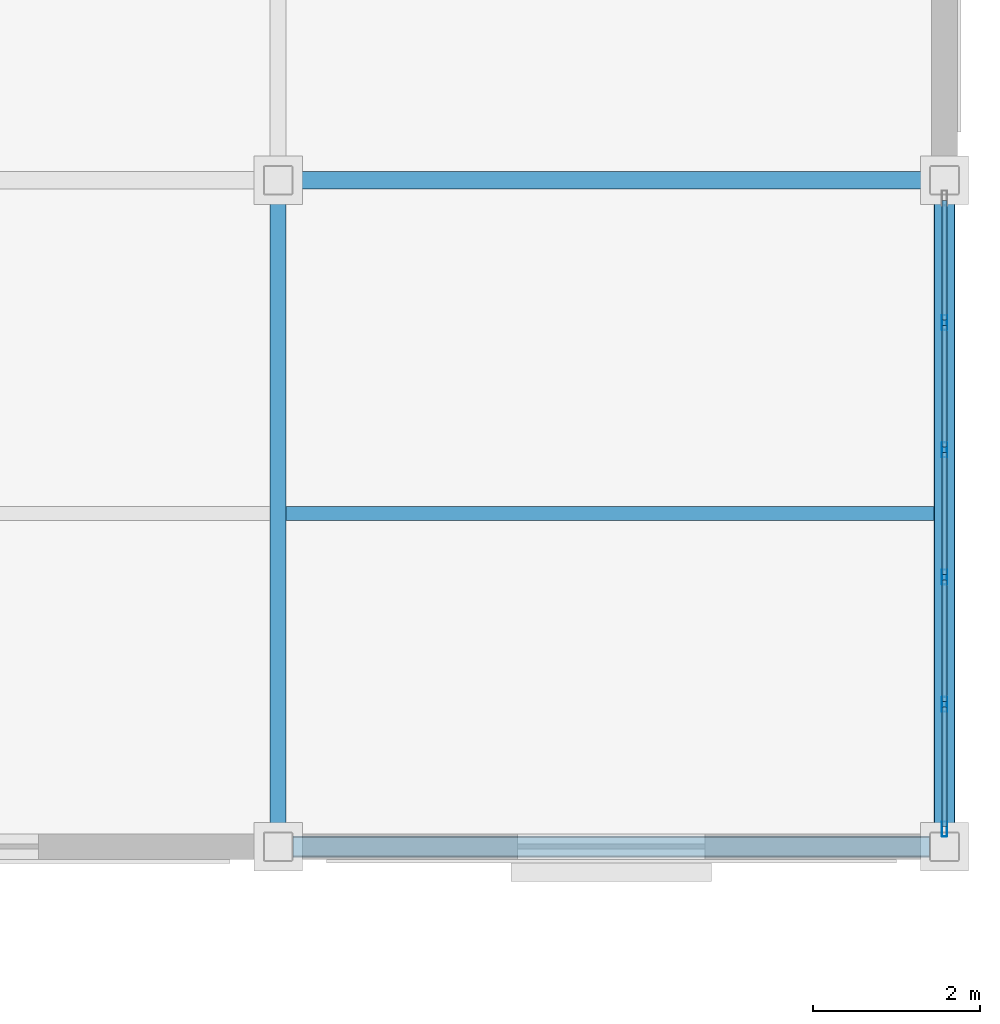
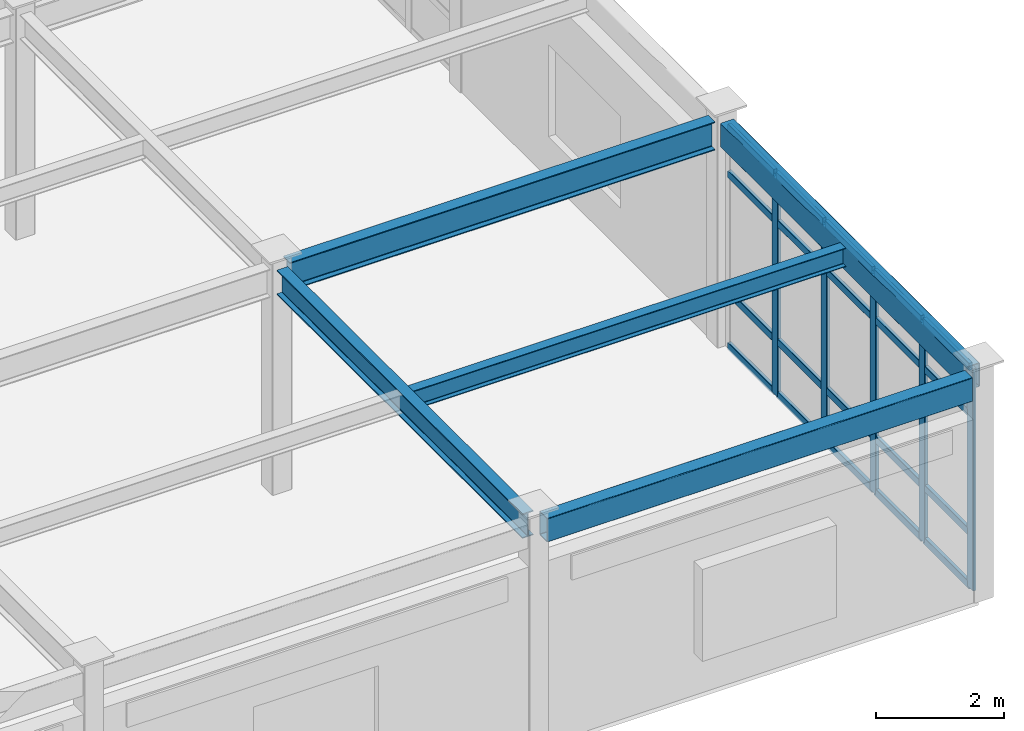
# One storey, part 66 of 111: 25 members, 5 beams, 1 element without a shape of its own.
"""IFC4 building model written with IfcOpenShell, lengths in metres."""

from ifc_helpers import new_model, si_unit, direction, frame, origin, origin_2d, place, context, subcontext, project, spatial, hollow_rectangle, i_section, extrude, material, material_profile, profile_set, type_object, element, aggregate, save


model = new_model("IFC4")

# Units and contexts
model_context = context("Model", 3, precision=1e-05, world=origin(), true_north=direction((0.0, 1.0)))
body_context = subcontext(model_context, "Body", "Model", "MODEL_VIEW")
ifc_project = project(units=[si_unit("LENGTHUNIT", "METRE"), si_unit("AREAUNIT", "SQUARE_METRE"), si_unit("VOLUMEUNIT", "CUBIC_METRE"), si_unit("PLANEANGLEUNIT", "RADIAN"), si_unit("MASSUNIT", "GRAM", prefix="KILO")], contexts=[model_context])

# Site, building, storey
site_placement = place(None, origin())
site = spatial("IfcSite", under=ifc_project, at=site_placement, CompositionType="ELEMENT")
building_placement = place(site_placement, origin())
building = spatial("IfcBuilding", under=site, at=building_placement, Name="Solmirada Galleria", CompositionType="ELEMENT")
storey_placement = place(building_placement, frame((0.0, 0.0, 10.39990234375)))
storey = spatial("IfcBuildingStorey", under=building, at=storey_placement, Name="L02", CompositionType="ELEMENT", Elevation=10.39990234375)

# Beams
ifc_material_1 = material(Name="Steel S355 / ASTM A992 Grade 50", Category="steel")
ifc_material_profile_1 = material_profile(ifc_material_1, i_section(OverallWidth=0.194091796875, OverallDepth=0.468994140625, WebThickness=0.0126953125, FlangeThickness=0.0205078125, FilletRadius=0.013916015625, at=origin_2d()), Name="W18X71")
ifc_profile_set_1 = profile_set([ifc_material_profile_1], Name="Steel S355 / ASTM A992 Grade 50")
beam_type_1 = type_object("IfcBeamType", Name="BM-GIRD-W18B", PredefinedType="BEAM", material=ifc_profile_set_1)
beam_1_placement = place(storey_placement, frame((168.0, 0.177978515625, 4.025634765625), z_axis=(0.0, 1.0, 0.0), x_axis=(-1.0, 0.0, 0.0)))
element("IfcBeam", 1, at=beam_1_placement, inside=storey, type_object=beam_type_1, Name="Primary girder L03 Y(168, 0..8)", PredefinedType="BEAM", context=body_context, shape_type="SweptSolid", body=[
    extrude(i_section(OverallWidth=0.194091796875, OverallDepth=0.468994140625, WebThickness=0.0126953125, FlangeThickness=0.0205078125, FilletRadius=0.013916015625, at=origin_2d()), origin(), (0.0, 0.0, 1.0), 7.64404296875),
])
ifc_material_profile_2 = material_profile(ifc_material_1, i_section(OverallWidth=0.2099609375, OverallDepth=0.537109375, WebThickness=0.010986328125, FlangeThickness=0.017333984375, FilletRadius=0.014892578125, at=origin_2d()), Name="W21X68")
ifc_profile_set_2 = profile_set([ifc_material_profile_2], Name="Steel S355 / ASTM A992 Grade 50")
beam_type_2 = type_object("IfcBeamType", Name="BM-GIRD-W21B", PredefinedType="BEAM", material=ifc_profile_set_2)
beam_2_placement = place(storey_placement, frame((168.177978515625, 8.0, 3.99169921875), z_axis=(1.0, 0.0, 0.0), x_axis=(0.0, 1.0, 0.0)))
element("IfcBeam", 2, at=beam_2_placement, inside=storey, type_object=beam_type_2, Name="Primary beam L03 X(168..176, 8)", PredefinedType="BEAM", context=body_context, shape_type="SweptSolid", body=[
    extrude(i_section(OverallWidth=0.2099609375, OverallDepth=0.537109375, WebThickness=0.010986328125, FlangeThickness=0.017333984375, FilletRadius=0.014892578125, at=origin_2d()), origin(), (0.0, 0.0, 1.0), 7.64404296875),
])
ifc_material_profile_3 = material_profile(ifc_material_1, i_section(OverallWidth=0.172119140625, OverallDepth=0.35791015625, WebThickness=0.0078125, FlangeThickness=0.01318359375, FilletRadius=0.011962890625, at=origin_2d()), Name="W14X38")
ifc_profile_set_3 = profile_set([ifc_material_profile_3], Name="Steel S355 / ASTM A992 Grade 50")
beam_type_3 = type_object("IfcBeamType", Name="BM-JST-W14A", PredefinedType="JOIST", material=ifc_profile_set_3)
beam_3_placement = place(storey_placement, frame((168.096923828125, 4.0, 4.0810546875), z_axis=(1.0, 0.0, 0.0), x_axis=(0.0, 1.0, 0.0)))
element("IfcBeam", 3, at=beam_3_placement, inside=storey, type_object=beam_type_3, Name="Composite floor joist L03 (168..176, 4.0)", PredefinedType="JOIST", context=body_context, shape_type="SweptSolid", body=[
    extrude(i_section(OverallWidth=0.172119140625, OverallDepth=0.35791015625, WebThickness=0.0078125, FlangeThickness=0.01318359375, FilletRadius=0.011962890625, at=origin_2d()), origin(), (0.0, 0.0, 1.0), 7.776123046875),
])
ifc_material_2 = material(Name="Steel S355 / ASTM A500 Grade C", Category="steel")
ifc_material_profile_4 = material_profile(ifc_material_2, hollow_rectangle(XDim=0.25390625, YDim=0.45703125, WallThickness=0.01171875, InnerFilletRadius=0.01171875, OuterFilletRadius=0.023681640625, at=origin_2d()), Name="HSS18X10X1/2")
ifc_profile_set_4 = profile_set([ifc_material_profile_4], Name="Steel S355 / ASTM A500 Grade C")
beam_type_4 = type_object("IfcBeamType", Name="BM-SPAND-W18", PredefinedType="SPANDREL", material=ifc_profile_set_4)
for number, where, z_axis, x_axis, name in (
    (4, (168.177978515625, 0.0, 4.031494140625), (1.0, 0.0, 0.0), (0.0, 1.0, 0.0), "Primary beam L03 X(168..176, 0)"),
    (5, (176.0, 0.177978515625, 4.031494140625), (0.0, 1.0, 0.0), (-1.0, 0.0, 0.0), "Primary girder L03 Y(176, 0..8)"),
):
    element("IfcBeam", number, at=place(storey_placement, frame(where, z_axis=z_axis, x_axis=x_axis)), inside=storey, type_object=beam_type_4, Name=name, PredefinedType="SPANDREL", context=body_context, shape_type="SweptSolid", body=[
        extrude(hollow_rectangle(XDim=0.25390625, YDim=0.45703125, WallThickness=0.01171875, InnerFilletRadius=0.01171875, OuterFilletRadius=0.023681640625, at=origin_2d()), origin(), (0.0, 0.0, 1.0), 7.64404296875),
    ])

# Curtain wall, members
ifc_material_3 = material(Name="Impact-resistant low-E double glazing", Category="glass")
curtain_wall_type = type_object("IfcCurtainWallType", Name="CW-FZ5-L02-B5-L076", PredefinedType="NOTDEFINED", material=ifc_material_3)
curtain_wall_placement = place(storey_placement, origin())
curtain_wall = element("IfcCurtainWall", 6, at=curtain_wall_placement, inside=storey, type_object=curtain_wall_type, Name="Terrace and arcade storefront CW-L02-117", PredefinedType="NOTDEFINED")
ifc_material_4 = material(Name="Anodised aluminium framing", Category="aluminium")
ifc_material_profile_5 = material_profile(ifc_material_4, hollow_rectangle(XDim=0.06494140625, YDim=0.179931640625, WallThickness=0.00390625, InnerFilletRadius=0.00390625, OuterFilletRadius=0.008056640625, at=origin_2d()), Name="ALU-MULL-180X65")
ifc_profile_set_5 = profile_set([ifc_material_profile_5], Name="Anodised aluminium framing")
member_type_1 = type_object("IfcMemberType", Name="CW-MULL-180", PredefinedType="MULLION", material=ifc_profile_set_5)
member_1_placement = place(storey_placement, frame((176.0, 6.2919921875, 0.0), z_axis=(0.0, 0.0, 1.0), x_axis=(1.0, 0.0, 0.0)))
member_1 = element("IfcMember", 7, at=member_1_placement, type_object=member_type_1, Name="CW26 mullion 2", PredefinedType="MULLION", context=body_context, shape_type="SweptSolid", body=[
    extrude(hollow_rectangle(XDim=0.06494140625, YDim=0.179931640625, WallThickness=0.00390625, InnerFilletRadius=0.00390625, OuterFilletRadius=0.008056640625, at=origin_2d()), origin(), (0.0, 0.0, 1.0), 4.22021484375),
])
member_2_placement = place(storey_placement, frame((176.0, 4.763916015625, 0.0), z_axis=(0.0, 0.0, 1.0), x_axis=(1.0, 0.0, 0.0)))
member_2 = element("IfcMember", 8, at=member_2_placement, type_object=member_type_1, Name="CW26 mullion 3", PredefinedType="MULLION", context=body_context, shape_type="SweptSolid", body=[
    extrude(hollow_rectangle(XDim=0.06494140625, YDim=0.179931640625, WallThickness=0.00390625, InnerFilletRadius=0.00390625, OuterFilletRadius=0.008056640625, at=origin_2d()), origin(), (0.0, 0.0, 1.0), 4.22021484375),
])
member_3_placement = place(storey_placement, frame((176.0, 3.236083984375, 0.0), z_axis=(0.0, 0.0, 1.0), x_axis=(1.0, 0.0, 0.0)))
member_3 = element("IfcMember", 9, at=member_3_placement, type_object=member_type_1, Name="CW26 mullion 4", PredefinedType="MULLION", context=body_context, shape_type="SweptSolid", body=[
    extrude(hollow_rectangle(XDim=0.06494140625, YDim=0.179931640625, WallThickness=0.00390625, InnerFilletRadius=0.00390625, OuterFilletRadius=0.008056640625, at=origin_2d()), origin(), (0.0, 0.0, 1.0), 4.22021484375),
])
member_4_placement = place(storey_placement, frame((176.0, 1.7080078125, 0.0), z_axis=(0.0, 0.0, 1.0), x_axis=(1.0, 0.0, 0.0)))
member_4 = element("IfcMember", 10, at=member_4_placement, type_object=member_type_1, Name="CW26 mullion 5", PredefinedType="MULLION", context=body_context, shape_type="SweptSolid", body=[
    extrude(hollow_rectangle(XDim=0.06494140625, YDim=0.179931640625, WallThickness=0.00390625, InnerFilletRadius=0.00390625, OuterFilletRadius=0.008056640625, at=origin_2d()), origin(), (0.0, 0.0, 1.0), 4.22021484375),
])
member_5_placement = place(storey_placement, frame((176.0, 0.21240234375, 0.0), z_axis=(0.0, 0.0, 1.0), x_axis=(1.0, 0.0, 0.0)))
member_5 = element("IfcMember", 11, at=member_5_placement, type_object=member_type_1, Name="CW26 mullion 6", PredefinedType="MULLION", context=body_context, shape_type="SweptSolid", body=[
    extrude(hollow_rectangle(XDim=0.06494140625, YDim=0.179931640625, WallThickness=0.00390625, InnerFilletRadius=0.00390625, OuterFilletRadius=0.008056640625, at=origin_2d()), origin(), (0.0, 0.0, 1.0), 4.22021484375),
])
ifc_material_profile_6 = material_profile(ifc_material_4, hollow_rectangle(XDim=0.06494140625, YDim=0.139892578125, WallThickness=0.00341796875, InnerFilletRadius=0.00341796875, OuterFilletRadius=0.007080078125, at=origin_2d()), Name="ALU-TRAN-140X65")
ifc_profile_set_6 = profile_set([ifc_material_profile_6], Name="Anodised aluminium framing")
member_type_2 = type_object("IfcMemberType", Name="CW-TRAN-140", PredefinedType="USERDEFINED", material=ifc_profile_set_6)
member_6_placement = place(storey_placement, frame((176.0, 7.7548828125, 0.03271484375), z_axis=(0.0, -1.0, 0.0), x_axis=(1.0, 0.0, 0.0)))
member_6 = element("IfcMember", 12, at=member_6_placement, type_object=member_type_2, Name="CW26 transom 1.1", ObjectType="TRANSOM", PredefinedType="USERDEFINED", context=body_context, shape_type="SweptSolid", body=[
    extrude(hollow_rectangle(XDim=0.06494140625, YDim=0.139892578125, WallThickness=0.00341796875, InnerFilletRadius=0.00341796875, OuterFilletRadius=0.007080078125, at=origin_2d()), origin(), (0.0, 0.0, 1.0), 1.430419921875),
])
member_7_placement = place(storey_placement, frame((176.0, 7.7548828125, 1.0400390625), z_axis=(0.0, -1.0, 0.0), x_axis=(1.0, 0.0, 0.0)))
member_7 = element("IfcMember", 13, at=member_7_placement, type_object=member_type_2, Name="CW26 transom 1.2", ObjectType="TRANSOM", PredefinedType="USERDEFINED", context=body_context, shape_type="SweptSolid", body=[
    extrude(hollow_rectangle(XDim=0.06494140625, YDim=0.139892578125, WallThickness=0.00341796875, InnerFilletRadius=0.00341796875, OuterFilletRadius=0.007080078125, at=origin_2d()), origin(), (0.0, 0.0, 1.0), 1.430419921875),
])
member_8_placement = place(storey_placement, frame((176.0, 7.7548828125, 3.300048828125), z_axis=(0.0, -1.0, 0.0), x_axis=(1.0, 0.0, 0.0)))
member_8 = element("IfcMember", 14, at=member_8_placement, type_object=member_type_2, Name="CW26 transom 1.3", ObjectType="TRANSOM", PredefinedType="USERDEFINED", context=body_context, shape_type="SweptSolid", body=[
    extrude(hollow_rectangle(XDim=0.06494140625, YDim=0.139892578125, WallThickness=0.00341796875, InnerFilletRadius=0.00341796875, OuterFilletRadius=0.007080078125, at=origin_2d()), origin(), (0.0, 0.0, 1.0), 1.430419921875),
])
member_9_placement = place(storey_placement, frame((176.0, 7.7548828125, 4.1875), z_axis=(0.0, -1.0, 0.0), x_axis=(1.0, 0.0, 0.0)))
member_9 = element("IfcMember", 15, at=member_9_placement, type_object=member_type_2, Name="CW26 transom 1.4", ObjectType="TRANSOM", PredefinedType="USERDEFINED", context=body_context, shape_type="SweptSolid", body=[
    extrude(hollow_rectangle(XDim=0.06494140625, YDim=0.139892578125, WallThickness=0.00341796875, InnerFilletRadius=0.00341796875, OuterFilletRadius=0.007080078125, at=origin_2d()), origin(), (0.0, 0.0, 1.0), 1.430419921875),
])
member_10_placement = place(storey_placement, frame((176.0, 6.259521484375, 0.03271484375), z_axis=(0.0, -1.0, 0.0), x_axis=(1.0, 0.0, 0.0)))
member_10 = element("IfcMember", 16, at=member_10_placement, type_object=member_type_2, Name="CW26 transom 2.1", ObjectType="TRANSOM", PredefinedType="USERDEFINED", context=body_context, shape_type="SweptSolid", body=[
    extrude(hollow_rectangle(XDim=0.06494140625, YDim=0.139892578125, WallThickness=0.00341796875, InnerFilletRadius=0.00341796875, OuterFilletRadius=0.007080078125, at=origin_2d()), origin(), (0.0, 0.0, 1.0), 1.463134765625),
])
member_11_placement = place(storey_placement, frame((176.0, 6.259521484375, 1.0400390625), z_axis=(0.0, -1.0, 0.0), x_axis=(1.0, 0.0, 0.0)))
member_11 = element("IfcMember", 17, at=member_11_placement, type_object=member_type_2, Name="CW26 transom 2.2", ObjectType="TRANSOM", PredefinedType="USERDEFINED", context=body_context, shape_type="SweptSolid", body=[
    extrude(hollow_rectangle(XDim=0.06494140625, YDim=0.139892578125, WallThickness=0.00341796875, InnerFilletRadius=0.00341796875, OuterFilletRadius=0.007080078125, at=origin_2d()), origin(), (0.0, 0.0, 1.0), 1.463134765625),
])
member_12_placement = place(storey_placement, frame((176.0, 6.259521484375, 3.300048828125), z_axis=(0.0, -1.0, 0.0), x_axis=(1.0, 0.0, 0.0)))
member_12 = element("IfcMember", 18, at=member_12_placement, type_object=member_type_2, Name="CW26 transom 2.3", ObjectType="TRANSOM", PredefinedType="USERDEFINED", context=body_context, shape_type="SweptSolid", body=[
    extrude(hollow_rectangle(XDim=0.06494140625, YDim=0.139892578125, WallThickness=0.00341796875, InnerFilletRadius=0.00341796875, OuterFilletRadius=0.007080078125, at=origin_2d()), origin(), (0.0, 0.0, 1.0), 1.463134765625),
])
member_13_placement = place(storey_placement, frame((176.0, 6.259521484375, 4.1875), z_axis=(0.0, -1.0, 0.0), x_axis=(1.0, 0.0, 0.0)))
member_13 = element("IfcMember", 19, at=member_13_placement, type_object=member_type_2, Name="CW26 transom 2.4", ObjectType="TRANSOM", PredefinedType="USERDEFINED", context=body_context, shape_type="SweptSolid", body=[
    extrude(hollow_rectangle(XDim=0.06494140625, YDim=0.139892578125, WallThickness=0.00341796875, InnerFilletRadius=0.00341796875, OuterFilletRadius=0.007080078125, at=origin_2d()), origin(), (0.0, 0.0, 1.0), 1.463134765625),
])
member_14_placement = place(storey_placement, frame((176.0, 4.7314453125, 0.03271484375), z_axis=(0.0, -1.0, 0.0), x_axis=(1.0, 0.0, 0.0)))
member_14 = element("IfcMember", 20, at=member_14_placement, type_object=member_type_2, Name="CW26 transom 3.1", ObjectType="TRANSOM", PredefinedType="USERDEFINED", context=body_context, shape_type="SweptSolid", body=[
    extrude(hollow_rectangle(XDim=0.06494140625, YDim=0.139892578125, WallThickness=0.00341796875, InnerFilletRadius=0.00341796875, OuterFilletRadius=0.007080078125, at=origin_2d()), origin(), (0.0, 0.0, 1.0), 1.462890625),
])
member_15_placement = place(storey_placement, frame((176.0, 4.7314453125, 1.0400390625), z_axis=(0.0, -1.0, 0.0), x_axis=(1.0, 0.0, 0.0)))
member_15 = element("IfcMember", 21, at=member_15_placement, type_object=member_type_2, Name="CW26 transom 3.2", ObjectType="TRANSOM", PredefinedType="USERDEFINED", context=body_context, shape_type="SweptSolid", body=[
    extrude(hollow_rectangle(XDim=0.06494140625, YDim=0.139892578125, WallThickness=0.00341796875, InnerFilletRadius=0.00341796875, OuterFilletRadius=0.007080078125, at=origin_2d()), origin(), (0.0, 0.0, 1.0), 1.462890625),
])
member_16_placement = place(storey_placement, frame((176.0, 4.7314453125, 3.300048828125), z_axis=(0.0, -1.0, 0.0), x_axis=(1.0, 0.0, 0.0)))
member_16 = element("IfcMember", 22, at=member_16_placement, type_object=member_type_2, Name="CW26 transom 3.3", ObjectType="TRANSOM", PredefinedType="USERDEFINED", context=body_context, shape_type="SweptSolid", body=[
    extrude(hollow_rectangle(XDim=0.06494140625, YDim=0.139892578125, WallThickness=0.00341796875, InnerFilletRadius=0.00341796875, OuterFilletRadius=0.007080078125, at=origin_2d()), origin(), (0.0, 0.0, 1.0), 1.462890625),
])
member_17_placement = place(storey_placement, frame((176.0, 4.7314453125, 4.1875), z_axis=(0.0, -1.0, 0.0), x_axis=(1.0, 0.0, 0.0)))
member_17 = element("IfcMember", 23, at=member_17_placement, type_object=member_type_2, Name="CW26 transom 3.4", ObjectType="TRANSOM", PredefinedType="USERDEFINED", context=body_context, shape_type="SweptSolid", body=[
    extrude(hollow_rectangle(XDim=0.06494140625, YDim=0.139892578125, WallThickness=0.00341796875, InnerFilletRadius=0.00341796875, OuterFilletRadius=0.007080078125, at=origin_2d()), origin(), (0.0, 0.0, 1.0), 1.462890625),
])
member_18_placement = place(storey_placement, frame((176.0, 3.20361328125, 0.03271484375), z_axis=(0.0, -1.0, 0.0), x_axis=(1.0, 0.0, 0.0)))
member_18 = element("IfcMember", 24, at=member_18_placement, type_object=member_type_2, Name="CW26 transom 4.1", ObjectType="TRANSOM", PredefinedType="USERDEFINED", context=body_context, shape_type="SweptSolid", body=[
    extrude(hollow_rectangle(XDim=0.06494140625, YDim=0.139892578125, WallThickness=0.00341796875, InnerFilletRadius=0.00341796875, OuterFilletRadius=0.007080078125, at=origin_2d()), origin(), (0.0, 0.0, 1.0), 1.463134765625),
])
member_19_placement = place(storey_placement, frame((176.0, 3.20361328125, 1.0400390625), z_axis=(0.0, -1.0, 0.0), x_axis=(1.0, 0.0, 0.0)))
member_19 = element("IfcMember", 25, at=member_19_placement, type_object=member_type_2, Name="CW26 transom 4.2", ObjectType="TRANSOM", PredefinedType="USERDEFINED", context=body_context, shape_type="SweptSolid", body=[
    extrude(hollow_rectangle(XDim=0.06494140625, YDim=0.139892578125, WallThickness=0.00341796875, InnerFilletRadius=0.00341796875, OuterFilletRadius=0.007080078125, at=origin_2d()), origin(), (0.0, 0.0, 1.0), 1.463134765625),
])
member_20_placement = place(storey_placement, frame((176.0, 3.20361328125, 3.300048828125), z_axis=(0.0, -1.0, 0.0), x_axis=(1.0, 0.0, 0.0)))
member_20 = element("IfcMember", 26, at=member_20_placement, type_object=member_type_2, Name="CW26 transom 4.3", ObjectType="TRANSOM", PredefinedType="USERDEFINED", context=body_context, shape_type="SweptSolid", body=[
    extrude(hollow_rectangle(XDim=0.06494140625, YDim=0.139892578125, WallThickness=0.00341796875, InnerFilletRadius=0.00341796875, OuterFilletRadius=0.007080078125, at=origin_2d()), origin(), (0.0, 0.0, 1.0), 1.463134765625),
])
member_21_placement = place(storey_placement, frame((176.0, 3.20361328125, 4.1875), z_axis=(0.0, -1.0, 0.0), x_axis=(1.0, 0.0, 0.0)))
member_21 = element("IfcMember", 27, at=member_21_placement, type_object=member_type_2, Name="CW26 transom 4.4", ObjectType="TRANSOM", PredefinedType="USERDEFINED", context=body_context, shape_type="SweptSolid", body=[
    extrude(hollow_rectangle(XDim=0.06494140625, YDim=0.139892578125, WallThickness=0.00341796875, InnerFilletRadius=0.00341796875, OuterFilletRadius=0.007080078125, at=origin_2d()), origin(), (0.0, 0.0, 1.0), 1.463134765625),
])
member_22_placement = place(storey_placement, frame((176.0, 1.675537109375, 0.03271484375), z_axis=(0.0, -1.0, 0.0), x_axis=(1.0, 0.0, 0.0)))
member_22 = element("IfcMember", 28, at=member_22_placement, type_object=member_type_2, Name="CW26 transom 5.1", ObjectType="TRANSOM", PredefinedType="USERDEFINED", context=body_context, shape_type="SweptSolid", body=[
    extrude(hollow_rectangle(XDim=0.06494140625, YDim=0.139892578125, WallThickness=0.00341796875, InnerFilletRadius=0.00341796875, OuterFilletRadius=0.007080078125, at=origin_2d()), origin(), (0.0, 0.0, 1.0), 1.430419921875),
])
member_23_placement = place(storey_placement, frame((176.0, 1.675537109375, 1.0400390625), z_axis=(0.0, -1.0, 0.0), x_axis=(1.0, 0.0, 0.0)))
member_23 = element("IfcMember", 29, at=member_23_placement, type_object=member_type_2, Name="CW26 transom 5.2", ObjectType="TRANSOM", PredefinedType="USERDEFINED", context=body_context, shape_type="SweptSolid", body=[
    extrude(hollow_rectangle(XDim=0.06494140625, YDim=0.139892578125, WallThickness=0.00341796875, InnerFilletRadius=0.00341796875, OuterFilletRadius=0.007080078125, at=origin_2d()), origin(), (0.0, 0.0, 1.0), 1.430419921875),
])
member_24_placement = place(storey_placement, frame((176.0, 1.675537109375, 3.300048828125), z_axis=(0.0, -1.0, 0.0), x_axis=(1.0, 0.0, 0.0)))
member_24 = element("IfcMember", 30, at=member_24_placement, type_object=member_type_2, Name="CW26 transom 5.3", ObjectType="TRANSOM", PredefinedType="USERDEFINED", context=body_context, shape_type="SweptSolid", body=[
    extrude(hollow_rectangle(XDim=0.06494140625, YDim=0.139892578125, WallThickness=0.00341796875, InnerFilletRadius=0.00341796875, OuterFilletRadius=0.007080078125, at=origin_2d()), origin(), (0.0, 0.0, 1.0), 1.430419921875),
])
member_25_placement = place(storey_placement, frame((176.0, 1.675537109375, 4.1875), z_axis=(0.0, -1.0, 0.0), x_axis=(1.0, 0.0, 0.0)))
member_25 = element("IfcMember", 31, at=member_25_placement, type_object=member_type_2, Name="CW26 transom 5.4", ObjectType="TRANSOM", PredefinedType="USERDEFINED", context=body_context, shape_type="SweptSolid", body=[
    extrude(hollow_rectangle(XDim=0.06494140625, YDim=0.139892578125, WallThickness=0.00341796875, InnerFilletRadius=0.00341796875, OuterFilletRadius=0.007080078125, at=origin_2d()), origin(), (0.0, 0.0, 1.0), 1.430419921875),
])
aggregate(curtain_wall, [member_1, member_2, member_3, member_4, member_5, member_6, member_7, member_8, member_9, member_10, member_11, member_12, member_13, member_14, member_15, member_16, member_17, member_18, member_19, member_20, member_21, member_22, member_23, member_24, member_25])

save(model, "model.ifc")
